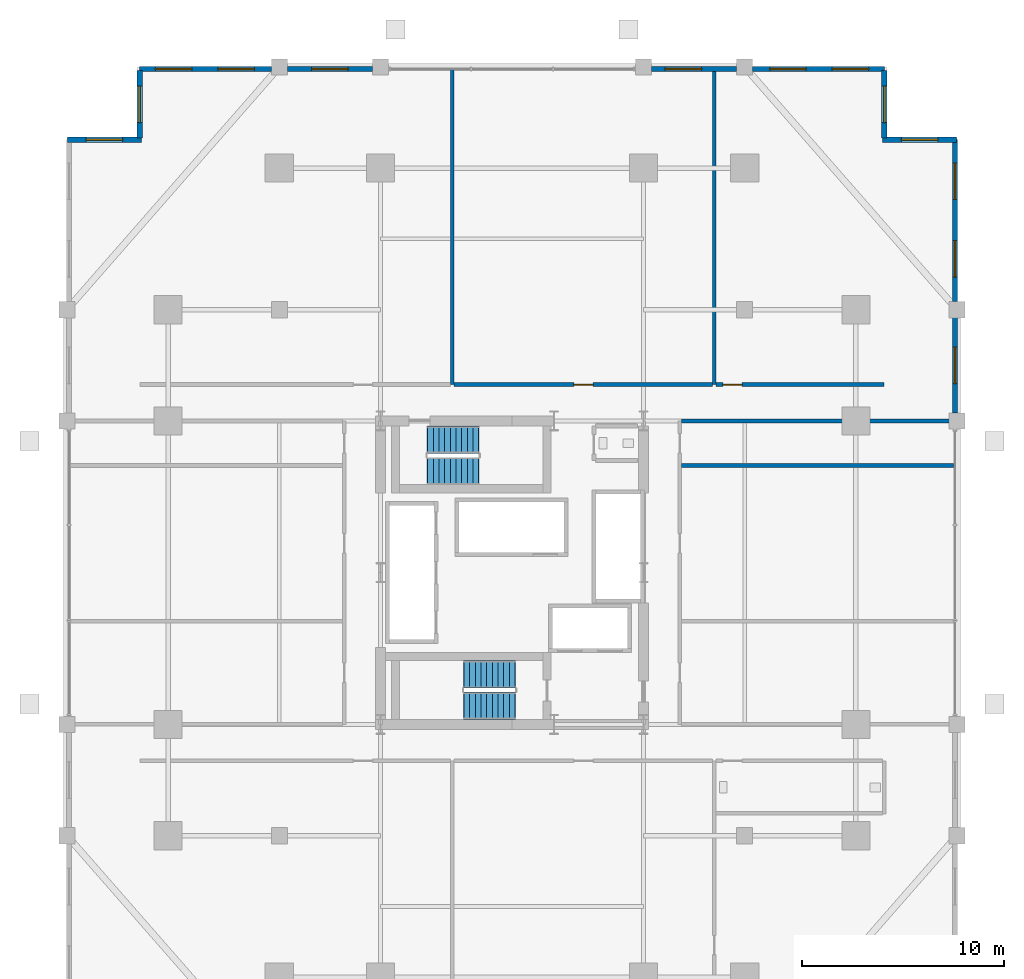
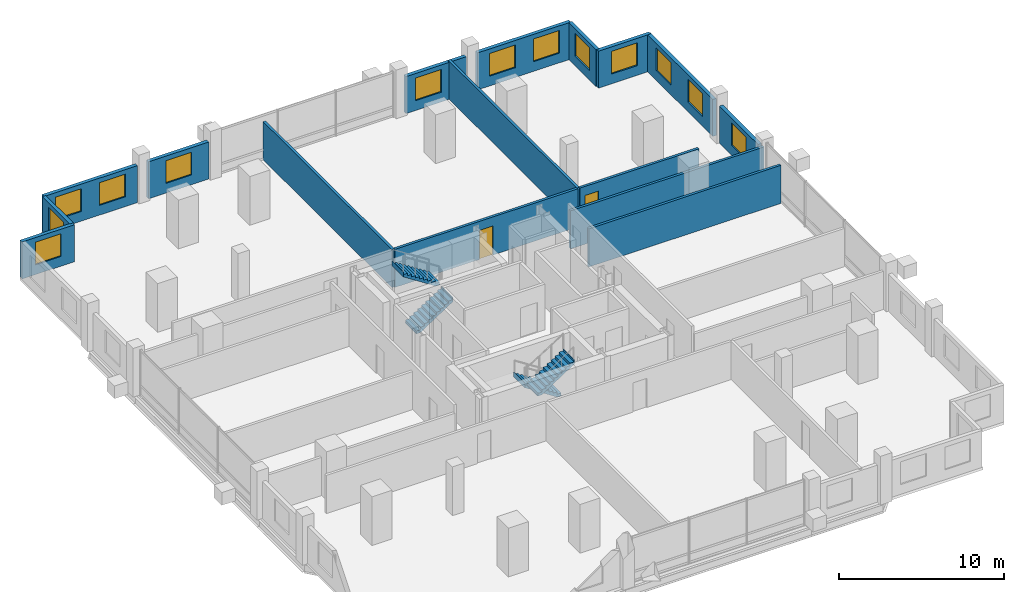
# One storey, part 19 of 21: 16 walls, 13 windows, 4 stair flights, 2 doors, 15 openings, 2 elements without a shape of their own.
"""IFC4 building model written with IfcOpenShell, lengths in metres."""

from ifc_helpers import new_model, si_unit, direction, frame, frame_2d, origin, place, context, subcontext, project, spatial, polyline, rectangle, outline, extrude, material, layer, layer_set, type_object, element, fill, aggregate, save


model = new_model("IFC4")

# Units and contexts
model_context = context("Model", 3, precision=1e-05, world=origin(), true_north=direction((0.0, 1.0)))
body_context = subcontext(model_context, "Body", "Model", "MODEL_VIEW")
ifc_project = project(units=[si_unit("LENGTHUNIT", "METRE"), si_unit("AREAUNIT", "SQUARE_METRE"), si_unit("VOLUMEUNIT", "CUBIC_METRE"), si_unit("PLANEANGLEUNIT", "RADIAN"), si_unit("MASSUNIT", "GRAM", prefix="KILO")], contexts=[model_context])

# Site, building, storey
site_placement = place(None, origin())
site = spatial("IfcSite", under=ifc_project, at=site_placement, CompositionType="ELEMENT")
building_placement = place(site_placement, origin())
building = spatial("IfcBuilding", under=site, at=building_placement, Name="Barlavira Tower and Art Museum", CompositionType="ELEMENT")
storey_placement = place(building_placement, frame((0.0, 0.0, 86.39990234375)))
storey = spatial("IfcBuildingStorey", under=building, at=storey_placement, Name="L21", CompositionType="ELEMENT", Elevation=86.39990234375)

# Walls
ifc_material_1 = material(Name="Gypsum acoustic stud partition", Category="gypsum")
ifc_layer_1 = layer(ifc_material_1, 0.179931640625, Name="Gypsum acoustic stud partition")
ifc_layer_set_1 = layer_set([ifc_layer_1], Name="Gypsum acoustic stud partition")
wall_type_1 = type_object("IfcWallType", Name="Inter-Tenancy Party Partition Wall 180", PredefinedType="PARTITIONING", material=ifc_layer_set_1)
for number, where, z_axis, x_axis, name in (
    (1, (-2.949951171875, 9.300048828125, 0.0), (0.0, 0.0, 1.0), (0.0, 1.0, 0.0), "L21 Partition Wall 3"),
    (2, (10.0, 9.300048828125, 0.0), (0.0, 0.0, 1.0), (0.0, 1.0, 0.0), "L21 Partition Wall 7"),
):
    element("IfcWall", number, at=place(storey_placement, frame(where, z_axis=z_axis, x_axis=x_axis)), inside=storey, type_object=wall_type_1, Name=name, PredefinedType="PARTITIONING", context=body_context, shape_type="SweptSolid", body=[
        extrude(rectangle(XDim=15.599853515625, YDim=0.179931640625, at=frame_2d((7.7998046875, 0.0))), origin(), (0.0, 0.0, 1.0), 2.816162109375),
    ])
wall_1_placement = place(storey_placement, frame((8.3798828125, 5.300048828125, 0.0), z_axis=(0.0, 0.0, 1.0), x_axis=(1.0, 0.0, 0.0)))
element("IfcWall", 3, at=wall_1_placement, inside=storey, type_object=wall_type_1, Name="L21 Partition Wall 18", PredefinedType="PARTITIONING", context=body_context, shape_type="SweptSolid", body=[
    extrude(rectangle(XDim=13.440185546875, YDim=0.179931640625, at=frame_2d((6.72021484375, 0.0))), origin(), (0.0, 0.0, 1.0), 2.816162109375),
])
wall_2_placement = place(storey_placement, frame((8.3798828125, 7.5, 0.0), z_axis=(0.0, 0.0, 1.0), x_axis=(1.0, 0.0, 0.0)))
element("IfcWall", 4, at=wall_2_placement, inside=storey, type_object=wall_type_1, Name="L21 Partition Wall 22", PredefinedType="PARTITIONING", context=body_context, shape_type="SweptSolid", body=[
    extrude(rectangle(XDim=13.52001953125, YDim=0.179931640625, at=frame_2d((6.760009765625, 0.0))), origin(), (0.0, 0.0, 1.0), 2.816162109375),
])

# Wall, opening, door
wall_3_placement = place(storey_placement, frame((-2.8701171875, 9.300048828125, 0.0), z_axis=(0.0, 0.0, 1.0), x_axis=(1.0, 0.0, 0.0)))
wall_3 = element("IfcWall", 5, at=wall_3_placement, inside=storey, type_object=wall_type_1, Name="L21 Partition Wall 24", PredefinedType="PARTITIONING", context=body_context, shape_type="SweptSolid", body=[
    extrude(rectangle(XDim=12.7900390625, YDim=0.179931640625, at=frame_2d((6.39501953125, 0.0))), origin(), (0.0, 0.0, 1.0), 2.816162109375),
])
opening_1_placement = place(wall_3_placement, frame((5.925048828125, 0.0, 0.0)))
opening_1 = element("IfcOpeningElement", 6, at=opening_1_placement, cuts=wall_3, Name="Opening FD-60", PredefinedType="OPENING", context=body_context, shape_type="SweptSolid", body=[
    extrude(rectangle(XDim=0.949951171875, YDim=2.14990234375, at=frame_2d((0.47509765625, 1.074951171875))), frame((0.0, 0.10009765625, 0.0), z_axis=(0.0, -1.0, 0.0), x_axis=(1.0, 0.0, 0.0)), (0.0, 0.0, 1.0), 0.199951171875),
])
ifc_material_2 = material(Name="Brushed stainless steel", Category="steel")
door_type = type_object("IfcDoorType", Name="Apartment Entrance and Riser Fire Door 950x2150 FD60S", OperationType="NOTDEFINED", PredefinedType="DOOR", material=ifc_material_2)
door_1_placement = place(opening_1_placement, origin())
door_1 = element("IfcDoor", 7, at=door_1_placement, inside=storey, type_object=door_type, Name="Private Coastal Dining Salon Door", OperationType="SINGLE_SWING_RIGHT", OverallHeight=2.14990234375, OverallWidth=0.949951171875, PredefinedType="DOOR", context=body_context, shape_type="SweptSolid", body=[
    extrude(rectangle(XDim=0.949951171875, YDim=2.14990234375, at=frame_2d((0.47509765625, 1.074951171875))), frame((0.0, 0.02490234375, 0.0), z_axis=(0.0, -1.0, 0.0), x_axis=(1.0, 0.0, 0.0)), (0.0, 0.0, 1.0), 0.050048828125),
])
fill(opening_1, door_1)

wall_4_placement = place(storey_placement, frame((10.080078125, 9.300048828125, 0.0), z_axis=(0.0, 0.0, 1.0), x_axis=(1.0, 0.0, 0.0)))
wall_4 = element("IfcWall", 8, at=wall_4_placement, inside=storey, type_object=wall_type_1, Name="L21 Partition Wall 25", PredefinedType="PARTITIONING", context=body_context, shape_type="SweptSolid", body=[
    extrude(rectangle(XDim=8.31982421875, YDim=0.179931640625, at=frame_2d((4.159912109375, 0.0))), origin(), (0.0, 0.0, 1.0), 2.816162109375),
])
opening_2_placement = place(wall_4_placement, frame((0.344970703125, 0.0, 0.0)))
opening_2 = element("IfcOpeningElement", 9, at=opening_2_placement, cuts=wall_4, Name="Opening FD-60", PredefinedType="OPENING", context=body_context, shape_type="SweptSolid", body=[
    extrude(rectangle(XDim=0.949951171875, YDim=2.14990234375, at=frame_2d((0.47509765625, 1.074951171875))), frame((0.0, 0.10009765625, 0.0), z_axis=(0.0, -1.0, 0.0), x_axis=(1.0, 0.0, 0.0)), (0.0, 0.0, 1.0), 0.199951171875),
])
door_2_placement = place(opening_2_placement, origin())
door_2 = element("IfcDoor", 10, at=door_2_placement, inside=storey, type_object=door_type, Name="Shared Catering Kitchen Door", OperationType="SINGLE_SWING_LEFT", OverallHeight=2.14990234375, OverallWidth=0.949951171875, PredefinedType="DOOR", context=body_context, shape_type="SweptSolid", body=[
    extrude(rectangle(XDim=0.949951171875, YDim=2.14990234375, at=frame_2d((0.47509765625, 1.074951171875))), frame((0.0, 0.02490234375, 0.0), z_axis=(0.0, -1.0, 0.0), x_axis=(1.0, 0.0, 0.0)), (0.0, 0.0, 1.0), 0.050048828125),
])
fill(opening_2, door_2)

# Wall, openings, windows
ifc_material_3 = material(Name="Precast concrete C40", Category="concrete")
ifc_layer_2 = layer(ifc_material_3, 0.25, Name="Precast concrete C40")
ifc_layer_set_2 = layer_set([ifc_layer_2], Name="Precast concrete C40")
wall_type_2 = type_object("IfcWallType", Name="Notched Corner Spandrel Wall 250 Precast Concrete C40", PredefinedType="SOLIDWALL", material=ifc_layer_set_2)
wall_5_placement = place(storey_placement, frame((18.425048828125, 24.89990234375, 0.0), z_axis=(0.0, 0.0, 1.0), x_axis=(-1.0, 0.0, 0.0)))
wall_5 = element("IfcWall", 11, at=wall_5_placement, inside=storey, type_object=wall_type_2, Name="L21 Coastal Facade Pier Wall CW1-L21-N-1", PredefinedType="SOLIDWALL", context=body_context, shape_type="SweptSolid", body=[
    extrude(rectangle(XDim=6.530029296875, YDim=0.25, at=frame_2d((3.26513671875, 0.0))), origin(), (0.0, 0.0, 1.0), 2.736083984375),
])
opening_3_placement = place(wall_5_placement, frame((0.801025390625, 0.0, 0.719970703125)))
opening_3 = element("IfcOpeningElement", 12, at=opening_3_placement, cuts=wall_5, Name="Opening WN-01", PredefinedType="OPENING", context=body_context, shape_type="SweptSolid", body=[
    extrude(rectangle(XDim=1.800048828125, YDim=1.679931640625, at=frame_2d((0.89990234375, 0.83984375))), frame((0.0, 0.135009765625, 0.0), z_axis=(0.0, -1.0, 0.0), x_axis=(1.0, 0.0, 0.0)), (0.0, 0.0, 1.0), 0.27001953125),
])
opening_4_placement = place(wall_5_placement, frame((3.884033203125, 0.0, 0.719970703125)))
opening_4 = element("IfcOpeningElement", 13, at=opening_4_placement, cuts=wall_5, Name="Opening WN-01", PredefinedType="OPENING", context=body_context, shape_type="SweptSolid", body=[
    extrude(rectangle(XDim=1.800048828125, YDim=1.679931640625, at=frame_2d((0.89990234375, 0.83984375))), frame((0.0, 0.135009765625, 0.0), z_axis=(0.0, -1.0, 0.0), x_axis=(1.0, 0.0, 0.0)), (0.0, 0.0, 1.0), 0.27001953125),
])
ifc_material_4 = material(Name="Low-iron coastal laminated glass", Category="glass")
window_type = type_object("IfcWindowType", Name="Recessed Notch Corner Punch Window 1800x1680", PartitioningType="SINGLE_PANEL", PredefinedType="WINDOW", material=ifc_material_4)
window_1_placement = place(opening_3_placement, origin())
window_1 = element("IfcWindow", 14, at=window_1_placement, inside=storey, type_object=window_type, Name="L21 Punched Facade Window EWP-CW1-L21-N-1-1", OverallHeight=1.679931640625, OverallWidth=1.800048828125, PartitioningType="SINGLE_PANEL", PredefinedType="WINDOW", context=body_context, shape_type="SweptSolid", body=[
    extrude(rectangle(XDim=1.800048828125, YDim=1.679931640625, at=frame_2d((0.89990234375, 0.83984375))), frame((0.0, 0.030029296875, 0.0), z_axis=(0.0, -1.0, 0.0), x_axis=(1.0, 0.0, 0.0)), (0.0, 0.0, 1.0), 0.06005859375),
])
fill(opening_3, window_1)
window_2_placement = place(opening_4_placement, origin())
window_2 = element("IfcWindow", 15, at=window_2_placement, inside=storey, type_object=window_type, Name="L21 Punched Facade Window EWP-CW1-L21-N-1-2", OverallHeight=1.679931640625, OverallWidth=1.800048828125, PartitioningType="SINGLE_PANEL", PredefinedType="WINDOW", context=body_context, shape_type="SweptSolid", body=[
    extrude(rectangle(XDim=1.800048828125, YDim=1.679931640625, at=frame_2d((0.89990234375, 0.83984375))), frame((0.0, 0.030029296875, 0.0), z_axis=(0.0, -1.0, 0.0), x_axis=(1.0, 0.0, 0.0)), (0.0, 0.0, 1.0), 0.06005859375),
])
fill(opening_4, window_2)

# Wall, opening, window
wall_6_placement = place(storey_placement, frame((11.10498046875, 24.89990234375, 0.0), z_axis=(0.0, 0.0, 1.0), x_axis=(-1.0, 0.0, 0.0)))
wall_6 = element("IfcWall", 16, at=wall_6_placement, inside=storey, type_object=wall_type_2, Name="L21 Coastal Facade Pier Wall CW1-L21-N-2", PredefinedType="SOLIDWALL", context=body_context, shape_type="SweptSolid", body=[
    extrude(rectangle(XDim=4.2099609375, YDim=0.25, at=frame_2d((2.10498046875, 0.0))), origin(), (0.0, 0.0, 1.0), 2.736083984375),
])
opening_5_placement = place(wall_6_placement, frame((1.735107421875, 0.0, 0.719970703125)))
opening_5 = element("IfcOpeningElement", 17, at=opening_5_placement, cuts=wall_6, Name="Opening WN-01", PredefinedType="OPENING", context=body_context, shape_type="SweptSolid", body=[
    extrude(rectangle(XDim=1.800048828125, YDim=1.679931640625, at=frame_2d((0.89990234375, 0.83984375))), frame((0.0, 0.135009765625, 0.0), z_axis=(0.0, -1.0, 0.0), x_axis=(1.0, 0.0, 0.0)), (0.0, 0.0, 1.0), 0.27001953125),
])
window_3_placement = place(opening_5_placement, origin())
window_3 = element("IfcWindow", 18, at=window_3_placement, inside=storey, type_object=window_type, Name="L21 Punched Facade Window EWP-CW1-L21-N-2-1", OverallHeight=1.679931640625, OverallWidth=1.800048828125, PartitioningType="SINGLE_PANEL", PredefinedType="WINDOW", context=body_context, shape_type="SweptSolid", body=[
    extrude(rectangle(XDim=1.800048828125, YDim=1.679931640625, at=frame_2d((0.89990234375, 0.83984375))), frame((0.0, 0.030029296875, 0.0), z_axis=(0.0, -1.0, 0.0), x_axis=(1.0, 0.0, 0.0)), (0.0, 0.0, 1.0), 0.06005859375),
])
fill(opening_5, window_3)

wall_7_placement = place(storey_placement, frame((-6.89501953125, 24.89990234375, 0.0), z_axis=(0.0, 0.0, 1.0), x_axis=(-1.0, 0.0, 0.0)))
wall_7 = element("IfcWall", 19, at=wall_7_placement, inside=storey, type_object=wall_type_2, Name="L21 Coastal Facade Pier Wall CW1-L21-N-4", PredefinedType="SOLIDWALL", context=body_context, shape_type="SweptSolid", body=[
    extrude(rectangle(XDim=4.2099609375, YDim=0.25, at=frame_2d((2.10498046875, 0.0))), origin(), (0.0, 0.0, 1.0), 2.736083984375),
])
opening_6_placement = place(wall_7_placement, frame((1.205078125, 0.0, 0.719970703125)))
opening_6 = element("IfcOpeningElement", 20, at=opening_6_placement, cuts=wall_7, Name="Opening WN-01", PredefinedType="OPENING", context=body_context, shape_type="SweptSolid", body=[
    extrude(rectangle(XDim=1.800048828125, YDim=1.679931640625, at=frame_2d((0.89990234375, 0.83984375))), frame((0.0, 0.135009765625, 0.0), z_axis=(0.0, -1.0, 0.0), x_axis=(1.0, 0.0, 0.0)), (0.0, 0.0, 1.0), 0.27001953125),
])
window_4_placement = place(opening_6_placement, origin())
window_4 = element("IfcWindow", 21, at=window_4_placement, inside=storey, type_object=window_type, Name="L21 Punched Facade Window EWP-CW1-L21-N-4-1", OverallHeight=1.679931640625, OverallWidth=1.800048828125, PartitioningType="SINGLE_PANEL", PredefinedType="WINDOW", context=body_context, shape_type="SweptSolid", body=[
    extrude(rectangle(XDim=1.800048828125, YDim=1.679931640625, at=frame_2d((0.89990234375, 0.83984375))), frame((0.0, 0.030029296875, 0.0), z_axis=(0.0, -1.0, 0.0), x_axis=(1.0, 0.0, 0.0)), (0.0, 0.0, 1.0), 0.06005859375),
])
fill(opening_6, window_4)

# Wall, openings, windows
wall_8_placement = place(storey_placement, frame((-11.89501953125, 24.89990234375, 0.0), z_axis=(0.0, 0.0, 1.0), x_axis=(-1.0, 0.0, 0.0)))
wall_8 = element("IfcWall", 22, at=wall_8_placement, inside=storey, type_object=wall_type_2, Name="L21 Coastal Facade Pier Wall CW1-L21-N-5", PredefinedType="SOLIDWALL", context=body_context, shape_type="SweptSolid", body=[
    extrude(rectangle(XDim=6.530029296875, YDim=0.25, at=frame_2d((3.26513671875, 0.0))), origin(), (0.0, 0.0, 1.0), 2.736083984375),
])
opening_7_placement = place(wall_8_placement, frame((0.845947265625, 0.0, 0.719970703125)))
opening_7 = element("IfcOpeningElement", 23, at=opening_7_placement, cuts=wall_8, Name="Opening WN-01", PredefinedType="OPENING", context=body_context, shape_type="SweptSolid", body=[
    extrude(rectangle(XDim=1.800048828125, YDim=1.679931640625, at=frame_2d((0.89990234375, 0.83984375))), frame((0.0, 0.135009765625, 0.0), z_axis=(0.0, -1.0, 0.0), x_axis=(1.0, 0.0, 0.0)), (0.0, 0.0, 1.0), 0.27001953125),
])
opening_8_placement = place(wall_8_placement, frame((3.928955078125, 0.0, 0.719970703125)))
opening_8 = element("IfcOpeningElement", 24, at=opening_8_placement, cuts=wall_8, Name="Opening WN-01", PredefinedType="OPENING", context=body_context, shape_type="SweptSolid", body=[
    extrude(rectangle(XDim=1.800048828125, YDim=1.679931640625, at=frame_2d((0.89990234375, 0.83984375))), frame((0.0, 0.135009765625, 0.0), z_axis=(0.0, -1.0, 0.0), x_axis=(1.0, 0.0, 0.0)), (0.0, 0.0, 1.0), 0.27001953125),
])
window_5_placement = place(opening_7_placement, origin())
window_5 = element("IfcWindow", 25, at=window_5_placement, inside=storey, type_object=window_type, Name="L21 Punched Facade Window EWP-CW1-L21-N-5-1", OverallHeight=1.679931640625, OverallWidth=1.800048828125, PartitioningType="SINGLE_PANEL", PredefinedType="WINDOW", context=body_context, shape_type="SweptSolid", body=[
    extrude(rectangle(XDim=1.800048828125, YDim=1.679931640625, at=frame_2d((0.89990234375, 0.83984375))), frame((0.0, 0.030029296875, 0.0), z_axis=(0.0, -1.0, 0.0), x_axis=(1.0, 0.0, 0.0)), (0.0, 0.0, 1.0), 0.06005859375),
])
fill(opening_7, window_5)
window_6_placement = place(opening_8_placement, origin())
window_6 = element("IfcWindow", 26, at=window_6_placement, inside=storey, type_object=window_type, Name="L21 Punched Facade Window EWP-CW1-L21-N-5-2", OverallHeight=1.679931640625, OverallWidth=1.800048828125, PartitioningType="SINGLE_PANEL", PredefinedType="WINDOW", context=body_context, shape_type="SweptSolid", body=[
    extrude(rectangle(XDim=1.800048828125, YDim=1.679931640625, at=frame_2d((0.89990234375, 0.83984375))), frame((0.0, 0.030029296875, 0.0), z_axis=(0.0, -1.0, 0.0), x_axis=(1.0, 0.0, 0.0)), (0.0, 0.0, 1.0), 0.06005859375),
])
fill(opening_8, window_6)

# Wall, opening, window
wall_9_placement = place(storey_placement, frame((21.89990234375, 7.89501953125, 0.0), z_axis=(0.0, 0.0, 1.0), x_axis=(0.0, 1.0, 0.0)))
wall_9 = element("IfcWall", 27, at=wall_9_placement, inside=storey, type_object=wall_type_2, Name="L21 Coastal Facade Pier Wall CW1-L21-E-4", PredefinedType="SOLIDWALL", context=body_context, shape_type="SweptSolid", body=[
    extrude(rectangle(XDim=4.7099609375, YDim=0.25, at=frame_2d((2.35498046875, 0.0))), origin(), (0.0, 0.0, 1.0), 2.736083984375),
])
opening_9_placement = place(wall_9_placement, frame((1.455078125, 0.0, 0.719970703125)))
opening_9 = element("IfcOpeningElement", 28, at=opening_9_placement, cuts=wall_9, Name="Opening WN-01", PredefinedType="OPENING", context=body_context, shape_type="SweptSolid", body=[
    extrude(rectangle(XDim=1.800048828125, YDim=1.679931640625, at=frame_2d((0.89990234375, 0.83984375))), frame((0.0, 0.135009765625, 0.0), z_axis=(0.0, -1.0, 0.0), x_axis=(1.0, 0.0, 0.0)), (0.0, 0.0, 1.0), 0.27001953125),
])
window_7_placement = place(opening_9_placement, origin())
window_7 = element("IfcWindow", 29, at=window_7_placement, inside=storey, type_object=window_type, Name="L21 Punched Facade Window EWP-CW1-L21-E-4-1", OverallHeight=1.679931640625, OverallWidth=1.800048828125, PartitioningType="SINGLE_PANEL", PredefinedType="WINDOW", context=body_context, shape_type="SweptSolid", body=[
    extrude(rectangle(XDim=1.800048828125, YDim=1.679931640625, at=frame_2d((0.89990234375, 0.83984375))), frame((0.0, 0.030029296875, 0.0), z_axis=(0.0, -1.0, 0.0), x_axis=(1.0, 0.0, 0.0)), (0.0, 0.0, 1.0), 0.06005859375),
])
fill(opening_9, window_7)

# Wall, openings, windows
wall_10_placement = place(storey_placement, frame((21.89990234375, 13.39501953125, 0.0), z_axis=(0.0, 0.0, 1.0), x_axis=(0.0, 1.0, 0.0)))
wall_10 = element("IfcWall", 30, at=wall_10_placement, inside=storey, type_object=wall_type_2, Name="L21 Coastal Facade Pier Wall CW1-L21-E-5", PredefinedType="SOLIDWALL", context=body_context, shape_type="SweptSolid", body=[
    extrude(rectangle(XDim=8.030029296875, YDim=0.25, at=frame_2d((4.01513671875, 0.0))), origin(), (0.0, 0.0, 1.0), 2.736083984375),
])
opening_10_placement = place(wall_10_placement, frame((1.220947265625, 0.0, 0.719970703125)))
opening_10 = element("IfcOpeningElement", 31, at=opening_10_placement, cuts=wall_10, Name="Opening WN-01", PredefinedType="OPENING", context=body_context, shape_type="SweptSolid", body=[
    extrude(rectangle(XDim=1.800048828125, YDim=1.679931640625, at=frame_2d((0.89990234375, 0.83984375))), frame((0.0, 0.135009765625, 0.0), z_axis=(0.0, -1.0, 0.0), x_axis=(1.0, 0.0, 0.0)), (0.0, 0.0, 1.0), 0.27001953125),
])
opening_11_placement = place(wall_10_placement, frame((5.053955078125, 0.0, 0.719970703125)))
opening_11 = element("IfcOpeningElement", 32, at=opening_11_placement, cuts=wall_10, Name="Opening WN-01", PredefinedType="OPENING", context=body_context, shape_type="SweptSolid", body=[
    extrude(rectangle(XDim=1.800048828125, YDim=1.679931640625, at=frame_2d((0.89990234375, 0.83984375))), frame((0.0, 0.135009765625, 0.0), z_axis=(0.0, -1.0, 0.0), x_axis=(1.0, 0.0, 0.0)), (0.0, 0.0, 1.0), 0.27001953125),
])
window_8_placement = place(opening_10_placement, origin())
window_8 = element("IfcWindow", 33, at=window_8_placement, inside=storey, type_object=window_type, Name="L21 Punched Facade Window EWP-CW1-L21-E-5-1", OverallHeight=1.679931640625, OverallWidth=1.800048828125, PartitioningType="SINGLE_PANEL", PredefinedType="WINDOW", context=body_context, shape_type="SweptSolid", body=[
    extrude(rectangle(XDim=1.800048828125, YDim=1.679931640625, at=frame_2d((0.89990234375, 0.83984375))), frame((0.0, 0.030029296875, 0.0), z_axis=(0.0, -1.0, 0.0), x_axis=(1.0, 0.0, 0.0)), (0.0, 0.0, 1.0), 0.06005859375),
])
fill(opening_10, window_8)
window_9_placement = place(opening_11_placement, origin())
window_9 = element("IfcWindow", 34, at=window_9_placement, inside=storey, type_object=window_type, Name="L21 Punched Facade Window EWP-CW1-L21-E-5-2", OverallHeight=1.679931640625, OverallWidth=1.800048828125, PartitioningType="SINGLE_PANEL", PredefinedType="WINDOW", context=body_context, shape_type="SweptSolid", body=[
    extrude(rectangle(XDim=1.800048828125, YDim=1.679931640625, at=frame_2d((0.89990234375, 0.83984375))), frame((0.0, 0.030029296875, 0.0), z_axis=(0.0, -1.0, 0.0), x_axis=(1.0, 0.0, 0.0)), (0.0, 0.0, 1.0), 0.06005859375),
])
fill(opening_11, window_9)

# Wall, opening, window
wall_11_placement = place(storey_placement, frame((21.97998046875, 21.39990234375, 0.0), z_axis=(0.0, 0.0, 1.0), x_axis=(-1.0, 0.0, 0.0)))
wall_11 = element("IfcWall", 35, at=wall_11_placement, inside=storey, type_object=wall_type_2, Name="L21 Notch Corner Wall NE1", PredefinedType="SOLIDWALL", context=body_context, shape_type="SweptSolid", body=[
    extrude(rectangle(XDim=3.659912109375, YDim=0.25, at=frame_2d((1.830078125, 0.0))), origin(), (0.0, 0.0, 1.0), 2.736083984375),
])
opening_12_placement = place(wall_11_placement, frame((0.929931640625, 0.0, 0.719970703125)))
opening_12 = element("IfcOpeningElement", 36, at=opening_12_placement, cuts=wall_11, Name="Opening WN-01", PredefinedType="OPENING", context=body_context, shape_type="SweptSolid", body=[
    extrude(rectangle(XDim=1.800048828125, YDim=1.679931640625, at=frame_2d((0.89990234375, 0.83984375))), frame((0.0, 0.135009765625, 0.0), z_axis=(0.0, -1.0, 0.0), x_axis=(1.0, 0.0, 0.0)), (0.0, 0.0, 1.0), 0.27001953125),
])
window_10_placement = place(opening_12_placement, origin())
window_10 = element("IfcWindow", 37, at=window_10_placement, inside=storey, type_object=window_type, Name="L21 Punched Facade Window EW-NTC-L21-NE1-1", OverallHeight=1.679931640625, OverallWidth=1.800048828125, PartitioningType="SINGLE_PANEL", PredefinedType="WINDOW", context=body_context, shape_type="SweptSolid", body=[
    extrude(rectangle(XDim=1.800048828125, YDim=1.679931640625, at=frame_2d((0.89990234375, 0.83984375))), frame((0.0, 0.030029296875, 0.0), z_axis=(0.0, -1.0, 0.0), x_axis=(1.0, 0.0, 0.0)), (0.0, 0.0, 1.0), 0.06005859375),
])
fill(opening_12, window_10)

wall_12_placement = place(storey_placement, frame((18.39990234375, 21.47998046875, 0.0), z_axis=(0.0, 0.0, 1.0), x_axis=(0.0, 1.0, 0.0)))
wall_12 = element("IfcWall", 38, at=wall_12_placement, inside=storey, type_object=wall_type_2, Name="L21 Notch Corner Wall NE2", PredefinedType="SOLIDWALL", context=body_context, shape_type="SweptSolid", body=[
    extrude(rectangle(XDim=3.340087890625, YDim=0.25, at=frame_2d((1.669921875, 0.0))), origin(), (0.0, 0.0, 1.0), 2.736083984375),
])
opening_13_placement = place(wall_12_placement, frame((0.77001953125, 0.0, 0.719970703125)))
opening_13 = element("IfcOpeningElement", 39, at=opening_13_placement, cuts=wall_12, Name="Opening WN-01", PredefinedType="OPENING", context=body_context, shape_type="SweptSolid", body=[
    extrude(rectangle(XDim=1.800048828125, YDim=1.679931640625, at=frame_2d((0.89990234375, 0.83984375))), frame((0.0, 0.135009765625, 0.0), z_axis=(0.0, -1.0, 0.0), x_axis=(1.0, 0.0, 0.0)), (0.0, 0.0, 1.0), 0.27001953125),
])
window_11_placement = place(opening_13_placement, origin())
window_11 = element("IfcWindow", 40, at=window_11_placement, inside=storey, type_object=window_type, Name="L21 Punched Facade Window EW-NTC-L21-NE2-1", OverallHeight=1.679931640625, OverallWidth=1.800048828125, PartitioningType="SINGLE_PANEL", PredefinedType="WINDOW", context=body_context, shape_type="SweptSolid", body=[
    extrude(rectangle(XDim=1.800048828125, YDim=1.679931640625, at=frame_2d((0.89990234375, 0.83984375))), frame((0.0, 0.030029296875, 0.0), z_axis=(0.0, -1.0, 0.0), x_axis=(1.0, 0.0, 0.0)), (0.0, 0.0, 1.0), 0.06005859375),
])
fill(opening_13, window_11)

wall_13_placement = place(storey_placement, frame((-18.39990234375, 24.820068359375, 0.0), z_axis=(0.0, 0.0, 1.0), x_axis=(0.0, -1.0, 0.0)))
wall_13 = element("IfcWall", 41, at=wall_13_placement, inside=storey, type_object=wall_type_2, Name="L21 Notch Corner Wall NW1", PredefinedType="SOLIDWALL", context=body_context, shape_type="SweptSolid", body=[
    extrude(rectangle(XDim=3.340087890625, YDim=0.25, at=frame_2d((1.669921875, 0.0))), origin(), (0.0, 0.0, 1.0), 2.736083984375),
])
opening_14_placement = place(wall_13_placement, frame((0.77001953125, 0.0, 0.719970703125)))
opening_14 = element("IfcOpeningElement", 42, at=opening_14_placement, cuts=wall_13, Name="Opening WN-01", PredefinedType="OPENING", context=body_context, shape_type="SweptSolid", body=[
    extrude(rectangle(XDim=1.800048828125, YDim=1.679931640625, at=frame_2d((0.89990234375, 0.83984375))), frame((0.0, 0.135009765625, 0.0), z_axis=(0.0, -1.0, 0.0), x_axis=(1.0, 0.0, 0.0)), (0.0, 0.0, 1.0), 0.27001953125),
])
window_12_placement = place(opening_14_placement, origin())
window_12 = element("IfcWindow", 43, at=window_12_placement, inside=storey, type_object=window_type, Name="L21 Punched Facade Window EW-NTC-L21-NW1-1", OverallHeight=1.679931640625, OverallWidth=1.800048828125, PartitioningType="SINGLE_PANEL", PredefinedType="WINDOW", context=body_context, shape_type="SweptSolid", body=[
    extrude(rectangle(XDim=1.800048828125, YDim=1.679931640625, at=frame_2d((0.89990234375, 0.83984375))), frame((0.0, 0.030029296875, 0.0), z_axis=(0.0, -1.0, 0.0), x_axis=(1.0, 0.0, 0.0)), (0.0, 0.0, 1.0), 0.06005859375),
])
fill(opening_14, window_12)

wall_14_placement = place(storey_placement, frame((-18.320068359375, 21.39990234375, 0.0), z_axis=(0.0, 0.0, 1.0), x_axis=(-1.0, 0.0, 0.0)))
wall_14 = element("IfcWall", 44, at=wall_14_placement, inside=storey, type_object=wall_type_2, Name="L21 Notch Corner Wall NW2", PredefinedType="SOLIDWALL", context=body_context, shape_type="SweptSolid", body=[
    extrude(rectangle(XDim=3.659912109375, YDim=0.25, at=frame_2d((1.830078125, 0.0))), origin(), (0.0, 0.0, 1.0), 2.736083984375),
])
opening_15_placement = place(wall_14_placement, frame((0.929931640625, 0.0, 0.719970703125)))
opening_15 = element("IfcOpeningElement", 45, at=opening_15_placement, cuts=wall_14, Name="Opening WN-01", PredefinedType="OPENING", context=body_context, shape_type="SweptSolid", body=[
    extrude(rectangle(XDim=1.800048828125, YDim=1.679931640625, at=frame_2d((0.89990234375, 0.83984375))), frame((0.0, 0.135009765625, 0.0), z_axis=(0.0, -1.0, 0.0), x_axis=(1.0, 0.0, 0.0)), (0.0, 0.0, 1.0), 0.27001953125),
])
window_13_placement = place(opening_15_placement, origin())
window_13 = element("IfcWindow", 46, at=window_13_placement, inside=storey, type_object=window_type, Name="L21 Punched Facade Window EW-NTC-L21-NW2-1", OverallHeight=1.679931640625, OverallWidth=1.800048828125, PartitioningType="SINGLE_PANEL", PredefinedType="WINDOW", context=body_context, shape_type="SweptSolid", body=[
    extrude(rectangle(XDim=1.800048828125, YDim=1.679931640625, at=frame_2d((0.89990234375, 0.83984375))), frame((0.0, 0.030029296875, 0.0), z_axis=(0.0, -1.0, 0.0), x_axis=(1.0, 0.0, 0.0)), (0.0, 0.0, 1.0), 0.06005859375),
])
fill(opening_15, window_13)

# Stair, stair flights
ifc_material_5 = material(Name="Concrete C45", Category="concrete")
stair_type_1 = type_object("IfcStairType", Name="Tower North Dog-Leg Exit Stair Assembly Concrete C45", PredefinedType="TWO_QUARTER_TURN_STAIR", material=ifc_material_5)
stair_1_placement = place(storey_placement, origin())
stair_1 = element("IfcStair", 47, at=stair_1_placement, inside=storey, type_object=stair_type_1, Name="L21 Tower North Exit Stair ST-T2", PredefinedType="TWO_QUARTER_TURN_STAIR")
ifc_material_6 = material(Name="Precast concrete C45", Category="concrete")
stair_flight_type_1 = type_object("IfcStairFlightType", Name="Tower North Dog-Leg Exit Stair Precast Flight 1350 Concrete C45", PredefinedType="STRAIGHT", material=ifc_material_6)
stair_flight_1_placement = place(storey_placement, frame((-4.169921875, 5.02490234375, 0.0), z_axis=(0.0, 0.0, 1.0), x_axis=(1.0, 0.0, 0.0)))
stair_flight_1 = element("IfcStairFlight", 48, at=stair_flight_1_placement, type_object=stair_flight_type_1, Name="ST-T2 flight 1", NumberOfRisers=10, NumberOfTreads=9, PredefinedType="STRAIGHT", RiserHeight=0.18, TreadLength=0.28, context=body_context, shape_type="SweptSolid", body=[
    extrude(outline(polyline([(-0.02490234375, 0.0), (0.0, 0.0), (0.0, 0.179931640625), (0.280029296875, 0.179931640625), (0.280029296875, 0.360107421875), (0.56005859375, 0.360107421875), (0.56005859375, 0.5400390625), (0.840087890625, 0.5400390625), (0.840087890625, 0.719970703125), (1.1201171875, 0.719970703125), (1.1201171875, 0.89990234375), (1.39990234375, 0.89990234375), (1.39990234375, 1.080078125), (1.679931640625, 1.080078125), (1.679931640625, 1.260009765625), (1.9599609375, 1.260009765625), (1.9599609375, 1.43994140625), (2.239990234375, 1.43994140625), (2.239990234375, 1.6201171875), (2.52001953125, 1.6201171875), (2.52001953125, 1.800048828125), (2.544921875, 1.800048828125), (2.544921875, 1.44189453125), (2.52001953125, 1.44189453125), (0.277099609375, -0.02490234375), (-0.02490234375, -0.02490234375), (-0.02490234375, 0.0)])), frame((0.0, 0.675048828125, 0.0), z_axis=(0.0, -1.0, 0.0), x_axis=(1.0, 0.0, 0.0)), (0.0, 0.0, 1.0), 1.35009765625),
])
stair_flight_2_placement = place(storey_placement, frame((-1.64990234375, 6.574951171875, 1.800048828125), z_axis=(0.0, 0.0, 1.0), x_axis=(-1.0, 0.0, 0.0)))
stair_flight_2 = element("IfcStairFlight", 49, at=stair_flight_2_placement, type_object=stair_flight_type_1, Name="ST-T2 flight 2", NumberOfRisers=10, NumberOfTreads=9, PredefinedType="STRAIGHT", RiserHeight=0.18, TreadLength=0.28, context=body_context, shape_type="SweptSolid", body=[
    extrude(outline(polyline([(-0.02490234375, 0.0), (0.0, 0.0), (0.0, 0.179931640625), (0.280029296875, 0.179931640625), (0.280029296875, 0.360107421875), (0.56005859375, 0.360107421875), (0.56005859375, 0.5400390625), (0.840087890625, 0.5400390625), (0.840087890625, 0.719970703125), (1.1201171875, 0.719970703125), (1.1201171875, 0.89990234375), (1.39990234375, 0.89990234375), (1.39990234375, 1.080078125), (1.679931640625, 1.080078125), (1.679931640625, 1.260009765625), (1.9599609375, 1.260009765625), (1.9599609375, 1.43994140625), (2.239990234375, 1.43994140625), (2.239990234375, 1.6201171875), (2.52001953125, 1.6201171875), (2.52001953125, 1.800048828125), (2.544921875, 1.800048828125), (2.544921875, 1.44189453125), (2.52001953125, 1.44189453125), (0.277099609375, -0.02490234375), (-0.02490234375, -0.02490234375), (-0.02490234375, 0.0)])), frame((0.0, 0.675048828125, 0.0), z_axis=(0.0, -1.0, 0.0), x_axis=(1.0, 0.0, 0.0)), (0.0, 0.0, 1.0), 1.35009765625),
])
aggregate(stair_1, [stair_flight_1, stair_flight_2])

stair_type_2 = type_object("IfcStairType", Name="Tower South Dog-Leg Exit Stair Assembly Concrete C45", PredefinedType="TWO_QUARTER_TURN_STAIR", material=ifc_material_5)
stair_2_placement = place(storey_placement, origin())
stair_2 = element("IfcStair", 50, at=stair_2_placement, inside=storey, type_object=stair_type_2, Name="L21 Tower South Exit Stair ST-T1", PredefinedType="TWO_QUARTER_TURN_STAIR")
stair_flight_type_2 = type_object("IfcStairFlightType", Name="Tower South Dog-Leg Exit Stair Precast Flight 1350 Concrete C45", PredefinedType="STRAIGHT", material=ifc_material_6)
stair_flight_3_placement = place(storey_placement, frame((0.14990234375, -5.02490234375, 0.0), z_axis=(0.0, 0.0, 1.0), x_axis=(-1.0, 0.0, 0.0)))
stair_flight_3 = element("IfcStairFlight", 51, at=stair_flight_3_placement, type_object=stair_flight_type_2, Name="ST-T1 flight 1", NumberOfRisers=10, NumberOfTreads=9, PredefinedType="STRAIGHT", RiserHeight=0.18, TreadLength=0.28, context=body_context, shape_type="SweptSolid", body=[
    extrude(outline(polyline([(-0.02490234375, 0.0), (0.0, 0.0), (0.0, 0.179931640625), (0.280029296875, 0.179931640625), (0.280029296875, 0.360107421875), (0.56005859375, 0.360107421875), (0.56005859375, 0.5400390625), (0.840087890625, 0.5400390625), (0.840087890625, 0.719970703125), (1.1201171875, 0.719970703125), (1.1201171875, 0.89990234375), (1.39990234375, 0.89990234375), (1.39990234375, 1.080078125), (1.679931640625, 1.080078125), (1.679931640625, 1.260009765625), (1.9599609375, 1.260009765625), (1.9599609375, 1.43994140625), (2.239990234375, 1.43994140625), (2.239990234375, 1.6201171875), (2.52001953125, 1.6201171875), (2.52001953125, 1.800048828125), (2.544921875, 1.800048828125), (2.544921875, 1.44189453125), (2.52001953125, 1.44189453125), (0.277099609375, -0.02490234375), (-0.02490234375, -0.02490234375), (-0.02490234375, 0.0)])), frame((0.0, 0.675048828125, 0.0), z_axis=(0.0, -1.0, 0.0), x_axis=(1.0, 0.0, 0.0)), (0.0, 0.0, 1.0), 1.35009765625),
])
stair_flight_4_placement = place(storey_placement, frame((-2.3701171875, -6.574951171875, 1.800048828125), z_axis=(0.0, 0.0, 1.0), x_axis=(1.0, 0.0, 0.0)))
stair_flight_4 = element("IfcStairFlight", 52, at=stair_flight_4_placement, type_object=stair_flight_type_2, Name="ST-T1 flight 2", NumberOfRisers=10, NumberOfTreads=9, PredefinedType="STRAIGHT", RiserHeight=0.18, TreadLength=0.28, context=body_context, shape_type="SweptSolid", body=[
    extrude(outline(polyline([(-0.02490234375, 0.0), (0.0, 0.0), (0.0, 0.179931640625), (0.280029296875, 0.179931640625), (0.280029296875, 0.360107421875), (0.56005859375, 0.360107421875), (0.56005859375, 0.5400390625), (0.840087890625, 0.5400390625), (0.840087890625, 0.719970703125), (1.1201171875, 0.719970703125), (1.1201171875, 0.89990234375), (1.39990234375, 0.89990234375), (1.39990234375, 1.080078125), (1.679931640625, 1.080078125), (1.679931640625, 1.260009765625), (1.9599609375, 1.260009765625), (1.9599609375, 1.43994140625), (2.239990234375, 1.43994140625), (2.239990234375, 1.6201171875), (2.52001953125, 1.6201171875), (2.52001953125, 1.800048828125), (2.544921875, 1.800048828125), (2.544921875, 1.44189453125), (2.52001953125, 1.44189453125), (0.277099609375, -0.02490234375), (-0.02490234375, -0.02490234375), (-0.02490234375, 0.0)])), frame((0.0, 0.675048828125, 0.0), z_axis=(0.0, -1.0, 0.0), x_axis=(1.0, 0.0, 0.0)), (0.0, 0.0, 1.0), 1.35009765625),
])
aggregate(stair_2, [stair_flight_3, stair_flight_4])

save(model, "model.ifc")
